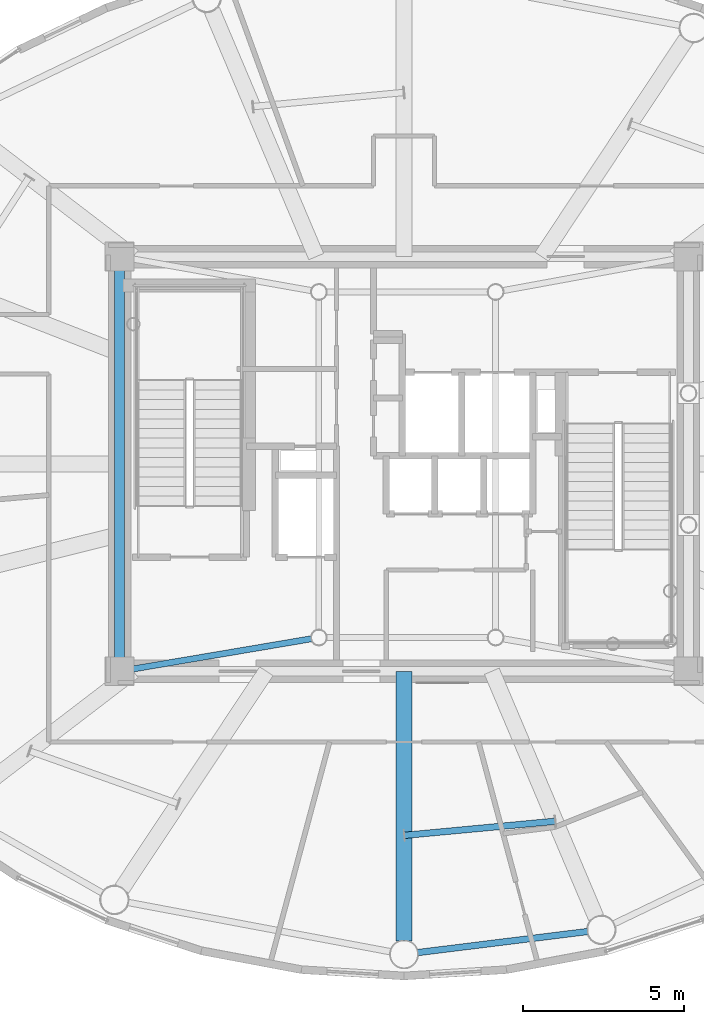
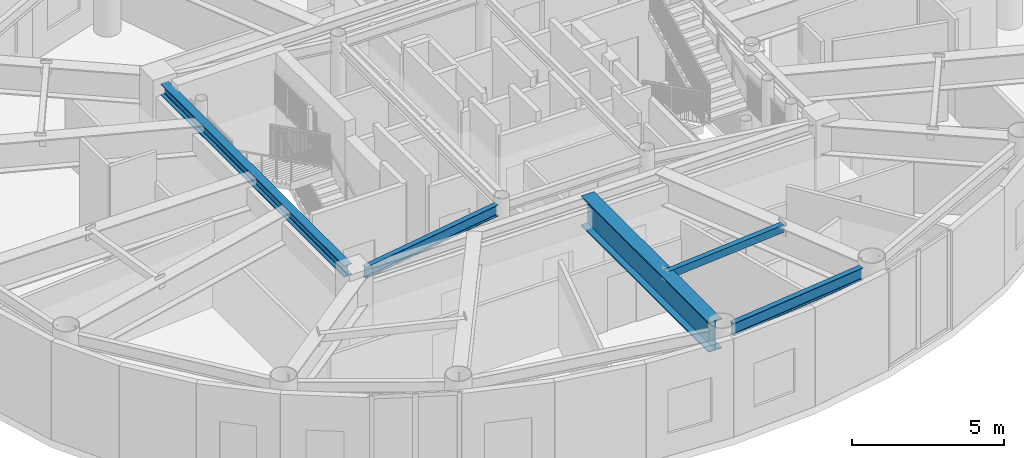
# One storey, part 5 of 26: 5 beams.
"""IFC4 building model written with IfcOpenShell, lengths in metres."""

from ifc_helpers import new_model, si_unit, direction, frame, origin, origin_2d, place, context, subcontext, project, spatial, hollow_rectangle, i_section, extrude, material, material_profile, profile_set, type_object, element, save


model = new_model("IFC4")

# Units and contexts
model_context = context("Model", 3, precision=1e-05, world=origin(), true_north=direction((0.0, 1.0)))
body_context = subcontext(model_context, "Body", "Model", "MODEL_VIEW")
ifc_project = project(units=[si_unit("LENGTHUNIT", "METRE"), si_unit("AREAUNIT", "SQUARE_METRE"), si_unit("VOLUMEUNIT", "CUBIC_METRE"), si_unit("PLANEANGLEUNIT", "RADIAN"), si_unit("MASSUNIT", "GRAM", prefix="KILO")], contexts=[model_context])

# Site, building, storey
site_placement = place(None, origin())
site = spatial("IfcSite", under=ifc_project, at=site_placement, CompositionType="ELEMENT")
building_placement = place(site_placement, origin())
building = spatial("IfcBuilding", under=site, at=building_placement, Name="Linh Dai School and Residence Tower", CompositionType="ELEMENT")
storey_placement = place(building_placement, frame((0.0, 0.0, 351.0)))
storey = spatial("IfcBuildingStorey", under=building, at=storey_placement, Name="L87", CompositionType="ELEMENT", Elevation=351.0)

# Beams
ifc_material = material(Name="Structural Steel S355JR", Category="steel")
ifc_material_profile_1 = material_profile(ifc_material, hollow_rectangle(XDim=0.199951171875, YDim=0.300048828125, WallThickness=0.010009765625, at=origin_2d()), Name="RHS 300x200x10")
ifc_profile_set_1 = profile_set([ifc_material_profile_1], Name="Structural Steel S355JR")
beam_type_1 = type_object("IfcBeamType", Name="BM-BX3", PredefinedType="BEAM", material=ifc_profile_set_1)
beam_1_placement = place(storey_placement, frame((36.0048828125, 15.443603515625, 3.800048828125), z_axis=(0.995632572685, 0.093358343008, 0.0), x_axis=(-0.093358343008, 0.995632572685, 0.0)))
element("IfcBeam", 1, at=beam_1_placement, inside=storey, type_object=beam_type_1, Name="L87 Secondary Circumferential Floor Beam 07", PredefinedType="BEAM", context=body_context, shape_type="SweptSolid", body=[
    extrude(hollow_rectangle(XDim=0.199951171875, YDim=0.300048828125, WallThickness=0.010009765625, at=origin_2d()), origin(), (0.0, 0.0, 1.0), 4.717529296875),
])
ifc_material_profile_2 = material_profile(ifc_material, i_section(OverallWidth=0.199951171875, OverallDepth=0.5, WebThickness=0.01025390625, FlangeThickness=0.01611328125, FilletRadius=0.02099609375, at=origin_2d()), Name="IPE 500")
ifc_profile_set_2 = profile_set([ifc_material_profile_2], Name="Structural Steel S355JR")
beam_type_2 = type_object("IfcBeamType", Name="BM-RB50", PredefinedType="BEAM", material=ifc_profile_set_2)
beam_2_placement = place(storey_placement, frame((36.416748046875, 11.796630859375, 3.699951171875), z_axis=(0.992398979221, 0.123062041428, 0.0), x_axis=(-0.123062041428, 0.992398979221, 0.0)))
element("IfcBeam", 2, at=beam_2_placement, inside=storey, type_object=beam_type_2, Name="L87 Perimeter Elliptical Ring Beam 13", PredefinedType="BEAM", context=body_context, shape_type="SweptSolid", body=[
    extrude(i_section(OverallWidth=0.199951171875, OverallDepth=0.5, WebThickness=0.01025390625, FlangeThickness=0.01611328125, FilletRadius=0.02099609375, at=origin_2d()), origin(), (0.0, 0.0, 1.0), 5.344482421875),
])
ifc_material_profile_3 = material_profile(ifc_material, i_section(OverallWidth=0.300048828125, OverallDepth=0.449951171875, WebThickness=0.013916015625, FlangeThickness=0.02587890625, FilletRadius=0.027099609375, at=origin_2d()), Name="HEB 450")
ifc_profile_set_3 = profile_set([ifc_material_profile_3], Name="Structural Steel S355JR")
beam_type_3 = type_object("IfcBeamType", Name="BM-RG45", PredefinedType="BEAM", material=ifc_profile_set_3)
beam_3_placement = place(storey_placement, frame((27.14990234375, 33.030029296875, 3.72509765625), z_axis=(0.0, -1.0, 0.0), x_axis=(1.0, 0.0, 0.0)))
element("IfcBeam", 3, at=beam_3_placement, inside=storey, type_object=beam_type_3, Name="L87 Core Perimeter Coupling Girder 4", PredefinedType="BEAM", context=body_context, shape_type="SweptSolid", body=[
    extrude(i_section(OverallWidth=0.300048828125, OverallDepth=0.449951171875, WebThickness=0.013916015625, FlangeThickness=0.02587890625, FilletRadius=0.027099609375, at=origin_2d()), origin(), (0.0, 0.0, 1.0), 12.06005859375),
])
ifc_material_profile_4 = material_profile(ifc_material, i_section(OverallWidth=0.18994140625, OverallDepth=0.449951171875, WebThickness=0.009521484375, FlangeThickness=0.0146484375, FilletRadius=0.02099609375, at=origin_2d()), Name="IPE 450")
ifc_profile_set_4 = profile_set([ifc_material_profile_4], Name="Structural Steel S355JR")
beam_type_4 = type_object("IfcBeamType", Name="BM-SB45", PredefinedType="BEAM", material=ifc_profile_set_4)
beam_4_placement = place(storey_placement, frame((27.564208984375, 20.6201171875, 3.72509765625), z_axis=(0.98596270559, 0.166965694638, 0.0), x_axis=(-0.166965694638, 0.98596270559, 0.0)))
element("IfcBeam", 4, at=beam_4_placement, inside=storey, type_object=beam_type_4, Name="L87 Core Corner-to-Mast Pier Beam 1", PredefinedType="BEAM", context=body_context, shape_type="SweptSolid", body=[
    extrude(i_section(OverallWidth=0.18994140625, OverallDepth=0.449951171875, WebThickness=0.009521484375, FlangeThickness=0.0146484375, FilletRadius=0.02099609375, at=origin_2d()), origin(), (0.0, 0.0, 1.0), 5.644287109375),
])
ifc_material_profile_5 = material_profile(ifc_material, i_section(OverallWidth=0.5, OverallDepth=1.199951171875, WebThickness=0.02392578125, FlangeThickness=0.044921875, at=origin_2d()), Name="PG 1200x500x24x45")
ifc_profile_set_5 = profile_set([ifc_material_profile_5], Name="Structural Steel S355JR")
beam_type_5 = type_object("IfcBeamType", Name="BM-TG12", PredefinedType="BEAM", material=ifc_profile_set_5)
beam_5_placement = place(storey_placement, frame((36.0, 20.550048828125, 3.35009765625), z_axis=(0.0, -1.0, 0.0), x_axis=(1.0, 0.0, 0.0)))
element("IfcBeam", 5, at=beam_5_placement, inside=storey, type_object=beam_type_5, Name="L87 Primary Radial Floor Girder 13", PredefinedType="BEAM", context=body_context, shape_type="SweptSolid", body=[
    extrude(i_section(OverallWidth=0.5, OverallDepth=1.199951171875, WebThickness=0.02392578125, FlangeThickness=0.044921875, at=origin_2d()), origin(), (0.0, 0.0, 1.0), 8.385009765625),
])

save(model, "model.ifc")
